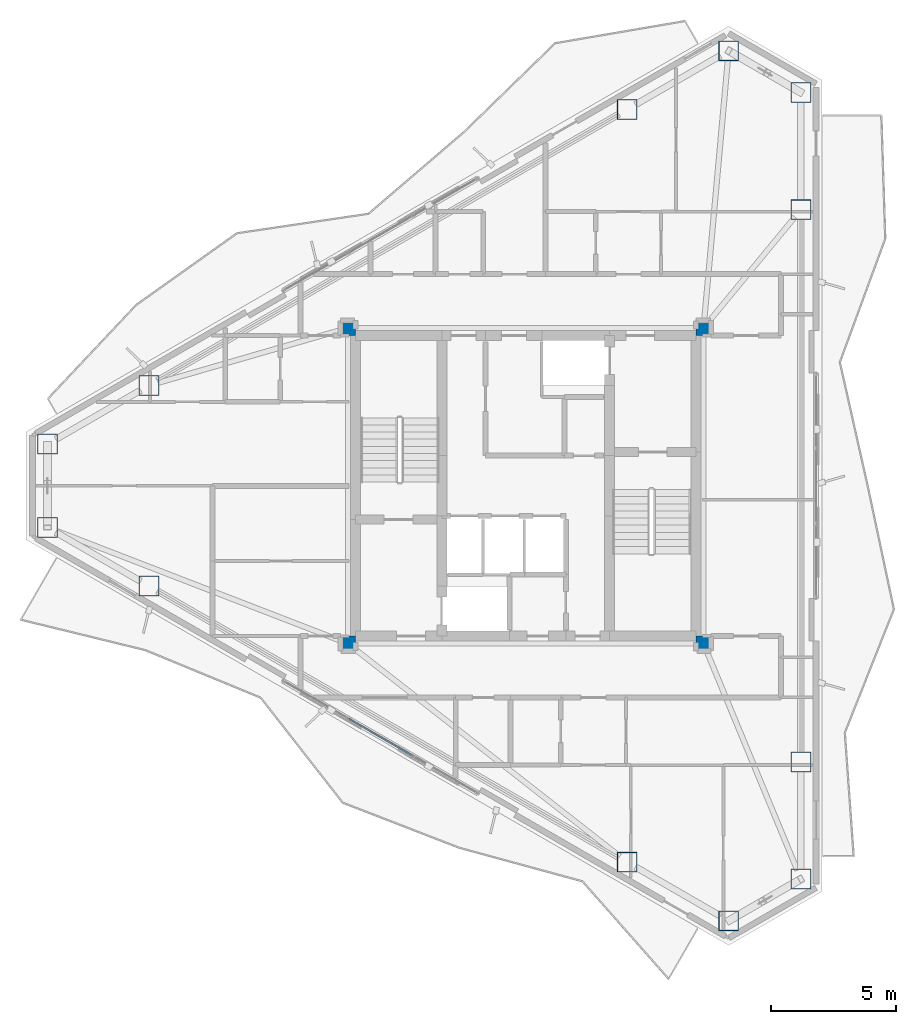
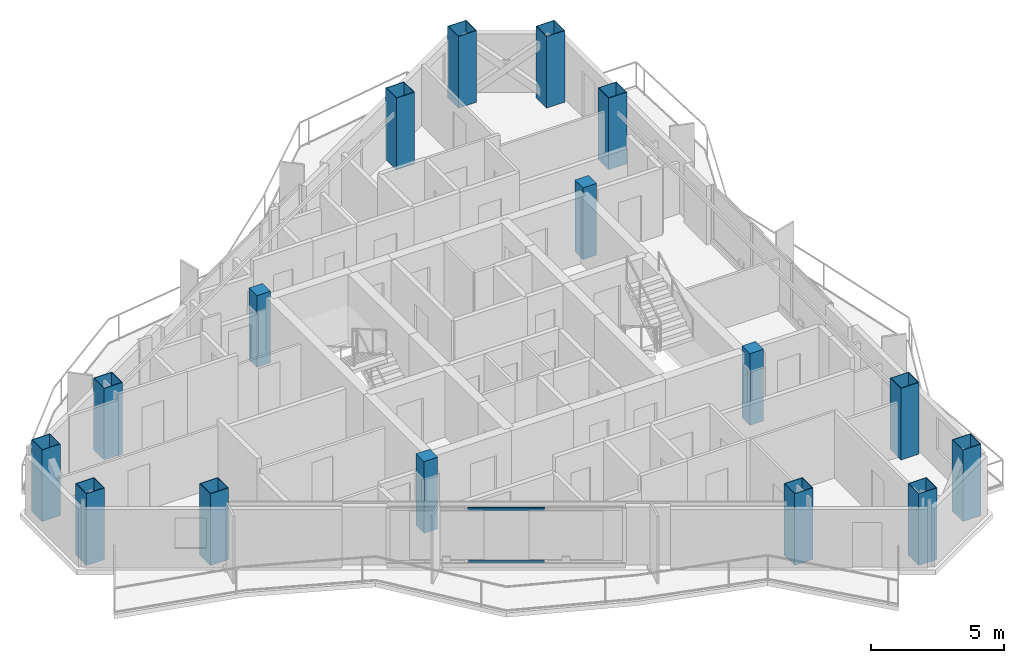
# One storey, part 1 of 22: 16 columns, 2 members, 1 element without a shape of its own.
"""IFC4 building model written with IfcOpenShell, lengths in metres."""

from ifc_helpers import new_model, si_unit, direction, frame, origin, origin_2d, place, context, subcontext, project, spatial, rectangle, hollow_rectangle, extrude, material, layer, layer_set, material_profile, profile_set, type_object, element, aggregate, save


model = new_model("IFC4")

# Units and contexts
model_context = context("Model", 3, precision=1e-05, world=origin(), true_north=direction((0.0, 1.0)))
body_context = subcontext(model_context, "Body", "Model", "MODEL_VIEW")
ifc_project = project(units=[si_unit("LENGTHUNIT", "METRE"), si_unit("AREAUNIT", "SQUARE_METRE"), si_unit("VOLUMEUNIT", "CUBIC_METRE"), si_unit("PLANEANGLEUNIT", "RADIAN"), si_unit("MASSUNIT", "GRAM", prefix="KILO")], contexts=[model_context])

# Site, building, storey
site_placement = place(None, origin())
site = spatial("IfcSite", under=ifc_project, at=site_placement, CompositionType="ELEMENT")
building_placement = place(site_placement, origin())
building = spatial("IfcBuilding", under=site, at=building_placement, Name="Mersakhor Tower and Convention Hall", CompositionType="ELEMENT")
storey_placement = place(building_placement, frame((0.0, 0.0, 195.300048828125)))
storey = spatial("IfcBuildingStorey", under=building, at=storey_placement, Name="L54", CompositionType="ELEMENT", Elevation=195.300048828125)

# Columns
ifc_material_1 = material(Name="Concrete C50/60 in S460M steel box", Category="concrete")
ifc_material_profile_1 = material_profile(ifc_material_1, hollow_rectangle(XDim=0.800048828125, YDim=0.800048828125, WallThickness=0.02490234375, at=origin_2d()), Name="SHS 800x800x25")
ifc_profile_set_1 = profile_set([ifc_material_profile_1], Name="Concrete C50/60 in S460M steel box")
column_type_1 = type_object("IfcColumnType", Name="COL-CFT-800", PredefinedType="COLUMN", material=ifc_profile_set_1)
for number, where, z_axis, x_axis, name in (
    (1, (9.907470703125, 28.415283203125, 0.0), (0.0, 0.0, 1.0), (1.0, 0.0, 0.0), "L54 Perimeter Mega-Column MC-01"),
    (2, (13.959716796875, 30.7548828125, 0.0), (0.0, 0.0, 1.0), (1.0, 0.0, 0.0), "L54 Perimeter Mega-Column MC-02"),
    (3, (33.0517578125, 41.777587890625, 0.0), (0.0, 0.0, 1.0), (1.0, 0.0, 0.0), "L54 Perimeter Mega-Column MC-03"),
    (4, (37.10400390625, 44.1171875, 0.0), (0.0, 0.0, 1.0), (1.0, 0.0, 0.0), "L54 Perimeter Mega-Column MC-04"),
    (5, (39.98828125, 42.451904296875, 0.0), (0.0, 0.0, 1.0), (1.0, 0.0, 0.0), "L54 Perimeter Mega-Column MC-05"),
    (6, (39.98828125, 37.772705078125, 0.0), (0.0, 0.0, 1.0), (1.0, 0.0, 0.0), "L54 Perimeter Mega-Column MC-06"),
    (7, (39.98828125, 15.727294921875, 0.0), (0.0, 0.0, 1.0), (1.0, 0.0, 0.0), "L54 Perimeter Mega-Column MC-07"),
    (8, (39.98828125, 11.048095703125, 0.0), (0.0, 0.0, 1.0), (1.0, 0.0, 0.0), "L54 Perimeter Mega-Column MC-08"),
    (9, (37.10400390625, 9.3828125, 0.0), (0.0, 0.0, 1.0), (1.0, 0.0, 0.0), "L54 Perimeter Mega-Column MC-09"),
    (10, (33.0517578125, 11.722412109375, 0.0), (0.0, 0.0, 1.0), (1.0, 0.0, 0.0), "L54 Perimeter Mega-Column MC-10"),
    (11, (13.959716796875, 22.7451171875, 0.0), (0.0, 0.0, 1.0), (1.0, 0.0, 0.0), "L54 Perimeter Mega-Column MC-11"),
    (12, (9.907470703125, 25.084716796875, 0.0), (0.0, 0.0, 1.0), (1.0, 0.0, 0.0), "L54 Perimeter Mega-Column MC-12"),
):
    element("IfcColumn", number, at=place(storey_placement, frame(where, z_axis=z_axis, x_axis=x_axis)), inside=storey, type_object=column_type_1, Name=name, PredefinedType="COLUMN", context=body_context, shape_type="SweptSolid", body=[
        extrude(hollow_rectangle(XDim=0.800048828125, YDim=0.800048828125, WallThickness=0.02490234375, at=origin_2d()), origin(), (0.0, 0.0, 1.0), 3.300048828125),
    ])
ifc_material_2 = material(Name="Concrete C50/60", Category="concrete")
ifc_material_profile_2 = material_profile(ifc_material_2, rectangle(XDim=0.60009765625, YDim=0.60009765625, at=origin_2d()), Name="RC 600x600")
ifc_profile_set_2 = profile_set([ifc_material_profile_2], Name="Concrete C50/60")
column_type_2 = type_object("IfcColumnType", Name="COL-RC-600", PredefinedType="COLUMN", material=ifc_profile_set_2)
for number, where, z_axis, x_axis, name in (
    (13, (21.89990234375, 20.449951171875, 0.0), (0.0, 0.0, 1.0), (1.0, 0.0, 0.0), "L54 Core Corner Column CC-1"),
    (14, (21.89990234375, 33.050048828125, 0.0), (0.0, 0.0, 1.0), (1.0, 0.0, 0.0), "L54 Core Corner Column CC-2"),
    (15, (36.10009765625, 33.050048828125, 0.0), (0.0, 0.0, 1.0), (1.0, 0.0, 0.0), "L54 Core Corner Column CC-3"),
    (16, (36.10009765625, 20.449951171875, 0.0), (0.0, 0.0, 1.0), (1.0, 0.0, 0.0), "L54 Core Corner Column CC-4"),
):
    element("IfcColumn", number, at=place(storey_placement, frame(where, z_axis=z_axis, x_axis=x_axis)), inside=storey, type_object=column_type_2, Name=name, PredefinedType="COLUMN", context=body_context, shape_type="SweptSolid", body=[
        extrude(rectangle(XDim=0.60009765625, YDim=0.60009765625, at=origin_2d()), origin(), (0.0, 0.0, 1.0), 3.300048828125),
    ])

# Curtain wall, members
ifc_material_3 = material(Name="Dark solar low-E aluminium curtain wall", Category="aluminium")
ifc_layer = layer(ifc_material_3, 0.169921875)
ifc_layer_set = layer_set([ifc_layer], Name="Dark solar low-E aluminium curtain wall")
curtain_wall_type = type_object("IfcCurtainWallType", Name="CW-SYS-02", PredefinedType="USERDEFINED", material=ifc_layer_set)
curtain_wall_placement = place(storey_placement, origin())
curtain_wall = element("IfcCurtainWall", 17, at=curtain_wall_placement, inside=storey, type_object=curtain_wall_type, Name="L54 Dark-Glass Curtain Wall F3-B2", ObjectType="CURTAIN WALL", PredefinedType="USERDEFINED")
ifc_material_4 = material(Name="Anodised aluminium EN AW-6063 T6", Category="aluminium")
ifc_material_profile_3 = material_profile(ifc_material_4, hollow_rectangle(XDim=0.06005859375, YDim=0.1201171875, WallThickness=0.0048828125, at=origin_2d()), Name="RHS 120x60x5")
ifc_profile_set_3 = profile_set([ifc_material_profile_3], Name="Anodised aluminium EN AW-6063 T6")
member_type = type_object("IfcMemberType", Name="CWT-120x60", PredefinedType="USERDEFINED", material=ifc_profile_set_3)
member_1_placement = place(storey_placement, frame((24.47216796875, 15.98291015625, 0.22998046875), z_axis=(-0.866004860328, 0.500035580622, 0.0), x_axis=(-0.500035580622, -0.866004860328, 0.0)))
member_1 = element("IfcMember", 18, at=member_1_placement, type_object=member_type, Name="CW-02 transom 2.1", ObjectType="TRANSOM", PredefinedType="USERDEFINED", context=body_context, shape_type="SweptSolid", body=[
    extrude(hollow_rectangle(XDim=0.06005859375, YDim=0.1201171875, WallThickness=0.0048828125, at=origin_2d()), origin(), (0.0, 0.0, 1.0), 2.924560546875),
])
member_2_placement = place(storey_placement, frame((24.47216796875, 15.98291015625, 2.659912109375), z_axis=(-0.866004860328, 0.500035580622, 0.0), x_axis=(-0.500035580622, -0.866004860328, 0.0)))
member_2 = element("IfcMember", 19, at=member_2_placement, type_object=member_type, Name="CW-02 transom 2.2", ObjectType="TRANSOM", PredefinedType="USERDEFINED", context=body_context, shape_type="SweptSolid", body=[
    extrude(hollow_rectangle(XDim=0.06005859375, YDim=0.1201171875, WallThickness=0.0048828125, at=origin_2d()), origin(), (0.0, 0.0, 1.0), 2.924560546875),
])
aggregate(curtain_wall, [member_1, member_2])

save(model, "model.ifc")
